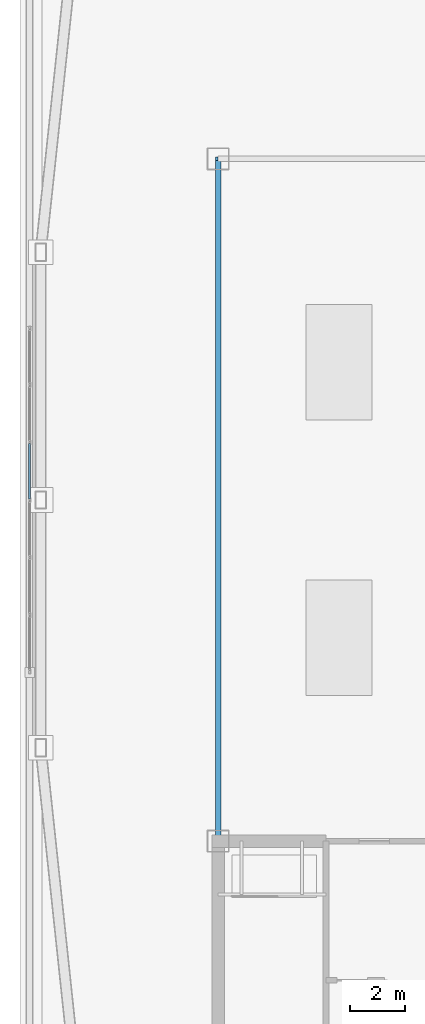
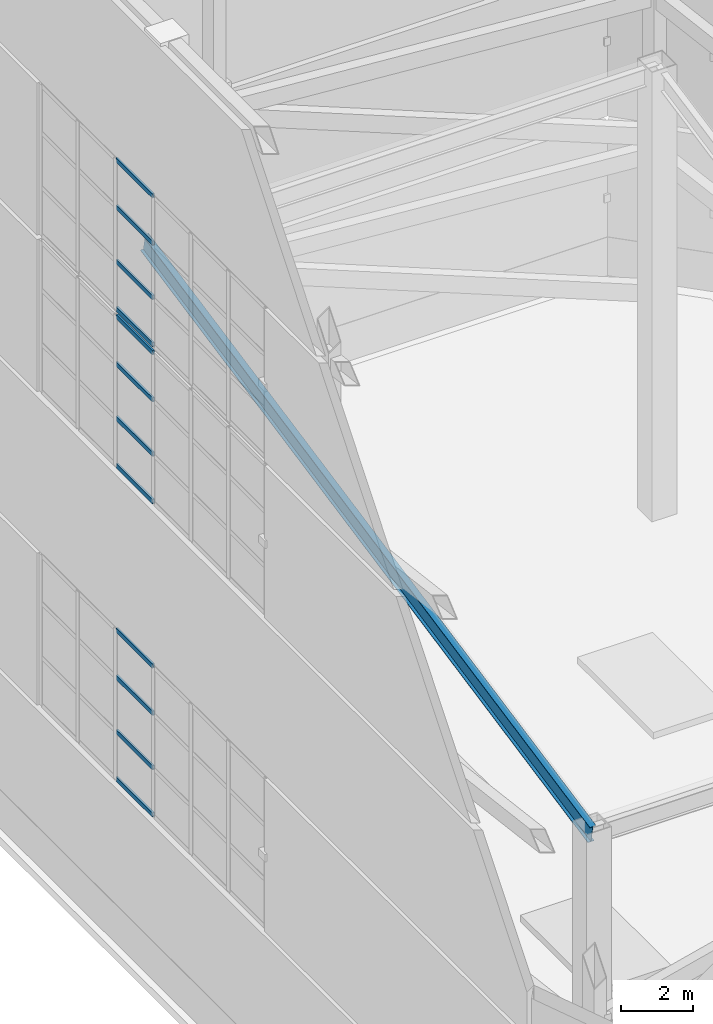
# One storey, part 13 of 47: 12 members, 1 beam, 3 elements without a shape of their own.
"""IFC4 building model written with IfcOpenShell, lengths in metres."""

from ifc_helpers import new_model, si_unit, direction, frame, origin, origin_2d, place, context, subcontext, project, spatial, hollow_rectangle, i_section, extrude, material, layer, layer_set, material_profile, profile_set, type_object, element, aggregate, save


model = new_model("IFC4")

# Units and contexts
model_context = context("Model", 3, precision=1e-05, world=origin(), true_north=direction((0.0, 1.0)))
body_context = subcontext(model_context, "Body", "Model", "MODEL_VIEW")
ifc_project = project(units=[si_unit("LENGTHUNIT", "METRE"), si_unit("AREAUNIT", "SQUARE_METRE"), si_unit("VOLUMEUNIT", "CUBIC_METRE"), si_unit("PLANEANGLEUNIT", "RADIAN"), si_unit("MASSUNIT", "GRAM", prefix="KILO")], contexts=[model_context])

# Site, building, storey
site_placement = place(None, origin())
site = spatial("IfcSite", under=ifc_project, at=site_placement, CompositionType="ELEMENT")
building_placement = place(site_placement, origin())
building = spatial("IfcBuilding", under=site, at=building_placement, Name="Qiaolan Cultural Towers", CompositionType="ELEMENT")
storey_placement = place(building_placement, frame((0.0, 0.0, 280.199951171875)))
storey = spatial("IfcBuildingStorey", under=building, at=storey_placement, Name="RF", CompositionType="ELEMENT", Elevation=280.199951171875)

# Beam
ifc_material_1 = material(Name="Steel Q355B", Category="steel")
ifc_material_profile_1 = material_profile(ifc_material_1, i_section(OverallWidth=0.199951171875, OverallDepth=0.60009765625, WebThickness=0.010986328125, FlangeThickness=0.01708984375, at=origin_2d()), Name="HN600x200x11x17")
ifc_profile_set_1 = profile_set([ifc_material_profile_1], Name="Steel Q355B")
beam_type = type_object("IfcBeamType", Name="BM-SPD-HN600x200x11x17", PredefinedType="SPANDREL", material=ifc_profile_set_1)
beam_placement = place(storey_placement, frame((21.800048828125, 21.60009765625, 9.920166015625), z_axis=(0.0, 0.98027513997, 0.197637673426), x_axis=(-1.0, 0.0, 0.0)))
element("IfcBeam", 1, at=beam_placement, inside=storey, type_object=beam_type, Name="T1 Sloped Plant Roof Edge Rafter 3", PredefinedType="SPANDREL", context=body_context, shape_type="SweptSolid", body=[
    extrude(i_section(OverallWidth=0.199951171875, OverallDepth=0.60009765625, WebThickness=0.010986328125, FlangeThickness=0.01708984375, at=origin_2d()), origin(), (0.0, 0.0, 1.0), 25.298828125),
])

# Curtain wall, members
ifc_material_2 = material(Name="Unitized Anodized Aluminium Curtain Wall System", Category="aluminium")
ifc_layer = layer(ifc_material_2, 0.199951171875)
ifc_layer_set = layer_set([ifc_layer], Name="Unitized Anodized Aluminium Curtain Wall System")
curtain_wall_type = type_object("IfcCurtainWallType", Name="CWS-06", PredefinedType="NOTDEFINED", material=ifc_layer_set)
curtain_wall_1_placement = place(storey_placement, origin())
curtain_wall_1 = element("IfcCurtainWall", 2, at=curtain_wall_1_placement, inside=storey, type_object=curtain_wall_type, Name="T1 Crown Tier 2 Fritted Screen Curtain Wall 7", PredefinedType="NOTDEFINED")
ifc_material_3 = material(Name="Extruded Aluminium 6063-T6", Category="aluminium")
ifc_material_profile_2 = material_profile(ifc_material_3, hollow_rectangle(XDim=0.06494140625, YDim=0.14990234375, WallThickness=0.00390625, at=origin_2d()), Name="CWT-150x65x4")
ifc_profile_set_2 = profile_set([ifc_material_profile_2], Name="Extruded Aluminium 6063-T6")
member_type = type_object("IfcMemberType", Name="CWS-06-TRN", PredefinedType="USERDEFINED", material=ifc_profile_set_2)
member_1_placement = place(storey_placement, frame((14.949951171875, 36.052490234375, 5.4326171875), z_axis=(0.0, -1.0, 0.0), x_axis=(1.0, 0.0, 0.0)))
member_1 = element("IfcMember", 3, at=member_1_placement, type_object=member_type, Name="CW-6 transom 3.1", ObjectType="TRANSOM", PredefinedType="USERDEFINED", context=body_context, shape_type="SweptSolid", body=[
    extrude(hollow_rectangle(XDim=0.06494140625, YDim=0.14990234375, WallThickness=0.00390625, at=origin_2d()), origin(), (0.0, 0.0, 1.0), 2.014892578125),
])
member_2_placement = place(storey_placement, frame((14.949951171875, 36.052490234375, 7.030029296875), z_axis=(0.0, -1.0, 0.0), x_axis=(1.0, 0.0, 0.0)))
member_2 = element("IfcMember", 4, at=member_2_placement, type_object=member_type, Name="CW-6 transom 3.2", ObjectType="TRANSOM", PredefinedType="USERDEFINED", context=body_context, shape_type="SweptSolid", body=[
    extrude(hollow_rectangle(XDim=0.06494140625, YDim=0.14990234375, WallThickness=0.00390625, at=origin_2d()), origin(), (0.0, 0.0, 1.0), 2.014892578125),
])
member_3_placement = place(storey_placement, frame((14.949951171875, 36.052490234375, 8.8701171875), z_axis=(0.0, -1.0, 0.0), x_axis=(1.0, 0.0, 0.0)))
member_3 = element("IfcMember", 5, at=member_3_placement, type_object=member_type, Name="CW-6 transom 3.3", ObjectType="TRANSOM", PredefinedType="USERDEFINED", context=body_context, shape_type="SweptSolid", body=[
    extrude(hollow_rectangle(XDim=0.06494140625, YDim=0.14990234375, WallThickness=0.00390625, at=origin_2d()), origin(), (0.0, 0.0, 1.0), 2.014892578125),
])
member_4_placement = place(storey_placement, frame((14.949951171875, 36.052490234375, 10.467529296875), z_axis=(0.0, -1.0, 0.0), x_axis=(1.0, 0.0, 0.0)))
member_4 = element("IfcMember", 6, at=member_4_placement, type_object=member_type, Name="CW-6 transom 3.4", ObjectType="TRANSOM", PredefinedType="USERDEFINED", context=body_context, shape_type="SweptSolid", body=[
    extrude(hollow_rectangle(XDim=0.06494140625, YDim=0.14990234375, WallThickness=0.00390625, at=origin_2d()), origin(), (0.0, 0.0, 1.0), 2.014892578125),
])
aggregate(curtain_wall_1, [member_1, member_2, member_3, member_4])

curtain_wall_2_placement = place(storey_placement, origin())
curtain_wall_2 = element("IfcCurtainWall", 7, at=curtain_wall_2_placement, inside=storey, type_object=curtain_wall_type, Name="T1 Crown Tier 4 Fritted Screen Curtain Wall 7", PredefinedType="NOTDEFINED")
member_5_placement = place(storey_placement, frame((14.949951171875, 36.052490234375, 16.032470703125), z_axis=(0.0, -1.0, 0.0), x_axis=(1.0, 0.0, 0.0)))
member_5 = element("IfcMember", 8, at=member_5_placement, type_object=member_type, Name="CW-6 transom 3.1", ObjectType="TRANSOM", PredefinedType="USERDEFINED", context=body_context, shape_type="SweptSolid", body=[
    extrude(hollow_rectangle(XDim=0.06494140625, YDim=0.14990234375, WallThickness=0.00390625, at=origin_2d()), origin(), (0.0, 0.0, 1.0), 2.014892578125),
])
member_6_placement = place(storey_placement, frame((14.949951171875, 36.052490234375, 17.630126953125), z_axis=(0.0, -1.0, 0.0), x_axis=(1.0, 0.0, 0.0)))
member_6 = element("IfcMember", 9, at=member_6_placement, type_object=member_type, Name="CW-6 transom 3.2", ObjectType="TRANSOM", PredefinedType="USERDEFINED", context=body_context, shape_type="SweptSolid", body=[
    extrude(hollow_rectangle(XDim=0.06494140625, YDim=0.14990234375, WallThickness=0.00390625, at=origin_2d()), origin(), (0.0, 0.0, 1.0), 2.014892578125),
])
member_7_placement = place(storey_placement, frame((14.949951171875, 36.052490234375, 19.469970703125), z_axis=(0.0, -1.0, 0.0), x_axis=(1.0, 0.0, 0.0)))
member_7 = element("IfcMember", 10, at=member_7_placement, type_object=member_type, Name="CW-6 transom 3.3", ObjectType="TRANSOM", PredefinedType="USERDEFINED", context=body_context, shape_type="SweptSolid", body=[
    extrude(hollow_rectangle(XDim=0.06494140625, YDim=0.14990234375, WallThickness=0.00390625, at=origin_2d()), origin(), (0.0, 0.0, 1.0), 2.014892578125),
])
member_8_placement = place(storey_placement, frame((14.949951171875, 36.052490234375, 21.067626953125), z_axis=(0.0, -1.0, 0.0), x_axis=(1.0, 0.0, 0.0)))
member_8 = element("IfcMember", 11, at=member_8_placement, type_object=member_type, Name="CW-6 transom 3.4", ObjectType="TRANSOM", PredefinedType="USERDEFINED", context=body_context, shape_type="SweptSolid", body=[
    extrude(hollow_rectangle(XDim=0.06494140625, YDim=0.14990234375, WallThickness=0.00390625, at=origin_2d()), origin(), (0.0, 0.0, 1.0), 2.014892578125),
])
aggregate(curtain_wall_2, [member_5, member_6, member_7, member_8])

curtain_wall_3_placement = place(storey_placement, origin())
curtain_wall_3 = element("IfcCurtainWall", 12, at=curtain_wall_3_placement, inside=storey, type_object=curtain_wall_type, Name="T1 Crown Tier 5 Fritted Screen Curtain Wall 7", PredefinedType="NOTDEFINED")
member_9_placement = place(storey_placement, frame((14.949951171875, 36.052490234375, 21.33251953125), z_axis=(0.0, -1.0, 0.0), x_axis=(1.0, 0.0, 0.0)))
member_9 = element("IfcMember", 13, at=member_9_placement, type_object=member_type, Name="CW-6 transom 3.1", ObjectType="TRANSOM", PredefinedType="USERDEFINED", context=body_context, shape_type="SweptSolid", body=[
    extrude(hollow_rectangle(XDim=0.06494140625, YDim=0.14990234375, WallThickness=0.00390625, at=origin_2d()), origin(), (0.0, 0.0, 1.0), 2.014892578125),
])
member_10_placement = place(storey_placement, frame((14.949951171875, 36.052490234375, 22.929931640625), z_axis=(0.0, -1.0, 0.0), x_axis=(1.0, 0.0, 0.0)))
member_10 = element("IfcMember", 14, at=member_10_placement, type_object=member_type, Name="CW-6 transom 3.2", ObjectType="TRANSOM", PredefinedType="USERDEFINED", context=body_context, shape_type="SweptSolid", body=[
    extrude(hollow_rectangle(XDim=0.06494140625, YDim=0.14990234375, WallThickness=0.00390625, at=origin_2d()), origin(), (0.0, 0.0, 1.0), 2.014892578125),
])
member_11_placement = place(storey_placement, frame((14.949951171875, 36.052490234375, 24.77001953125), z_axis=(0.0, -1.0, 0.0), x_axis=(1.0, 0.0, 0.0)))
member_11 = element("IfcMember", 15, at=member_11_placement, type_object=member_type, Name="CW-6 transom 3.3", ObjectType="TRANSOM", PredefinedType="USERDEFINED", context=body_context, shape_type="SweptSolid", body=[
    extrude(hollow_rectangle(XDim=0.06494140625, YDim=0.14990234375, WallThickness=0.00390625, at=origin_2d()), origin(), (0.0, 0.0, 1.0), 2.014892578125),
])
member_12_placement = place(storey_placement, frame((14.949951171875, 36.052490234375, 26.367431640625), z_axis=(0.0, -1.0, 0.0), x_axis=(1.0, 0.0, 0.0)))
member_12 = element("IfcMember", 16, at=member_12_placement, type_object=member_type, Name="CW-6 transom 3.4", ObjectType="TRANSOM", PredefinedType="USERDEFINED", context=body_context, shape_type="SweptSolid", body=[
    extrude(hollow_rectangle(XDim=0.06494140625, YDim=0.14990234375, WallThickness=0.00390625, at=origin_2d()), origin(), (0.0, 0.0, 1.0), 2.014892578125),
])
aggregate(curtain_wall_3, [member_9, member_10, member_11, member_12])

save(model, "model.ifc")
